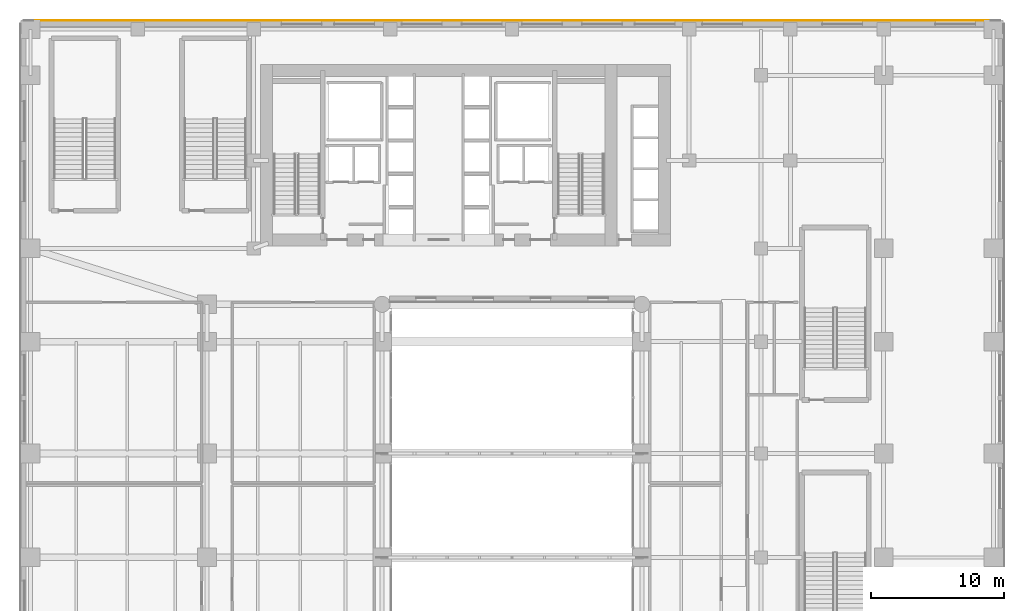
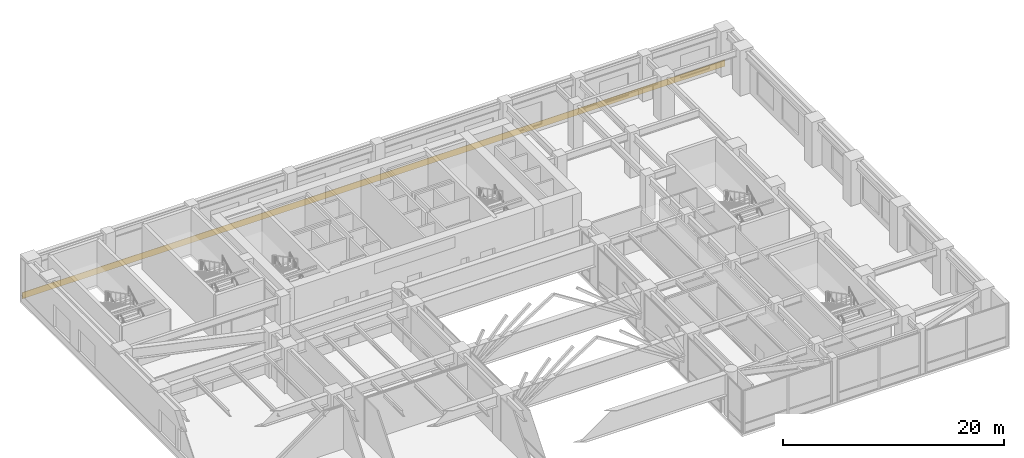
# One storey, part 38 of 39: 1 covering.
"""IFC4 building model written with IfcOpenShell, lengths in metres."""

from ifc_helpers import new_model, si_unit, direction, frame, origin, place, context, subcontext, project, spatial, polyline, outline, extrude, material, layer, layer_set, type_object, element, save


model = new_model("IFC4")

# Units and contexts
model_context = context("Model", 3, precision=1e-05, world=origin(), true_north=direction((0.0, 1.0)))
body_context = subcontext(model_context, "Body", "Model", "MODEL_VIEW")
ifc_project = project(units=[si_unit("LENGTHUNIT", "METRE"), si_unit("AREAUNIT", "SQUARE_METRE"), si_unit("VOLUMEUNIT", "CUBIC_METRE"), si_unit("PLANEANGLEUNIT", "RADIAN"), si_unit("MASSUNIT", "GRAM", prefix="KILO")], contexts=[model_context])

# Site, building, storey
site_placement = place(None, origin())
site = spatial("IfcSite", under=ifc_project, at=site_placement, CompositionType="ELEMENT")
building_placement = place(site_placement, origin())
building = spatial("IfcBuilding", under=site, at=building_placement, Name="Tolvann Quenvar Hotel", CompositionType="ELEMENT")
storey_placement = place(building_placement, frame((0.0, 0.0, 11.0)))
storey = spatial("IfcBuildingStorey", under=building, at=storey_placement, Name="L02", CompositionType="ELEMENT", Elevation=11.0)

# Covering
ifc_material = material(Name="Moulded buff architectural terracotta spandrel cladding", Category="masonry")
ifc_layer = layer(ifc_material, 0.0400390625)
ifc_layer_set = layer_set([ifc_layer], Name="Moulded buff architectural terracotta spandrel cladding")
covering_type = type_object("IfcCoveringType", Name="COV_CLAD_TERRA_40", PredefinedType="CLADDING", material=ifc_layer_set)
covering_placement = place(storey_placement, origin())
element("IfcCovering", 1, at=covering_placement, inside=storey, type_object=covering_type, Name="Terracotta Spandrel Cladding (L02-E06)", PredefinedType="CLADDING", context=body_context, shape_type="SweptSolid", body=[
    extrude(outline(polyline([(65.14990234375, 48.5), (-8.14990234375, 48.5), (-8.14990234375, 48.5400390625), (65.14990234375, 48.5400390625), (65.14990234375, 48.5)])), origin(), (0.0, 0.0, 1.0), 0.699951171875),
])

save(model, "model.ifc")
